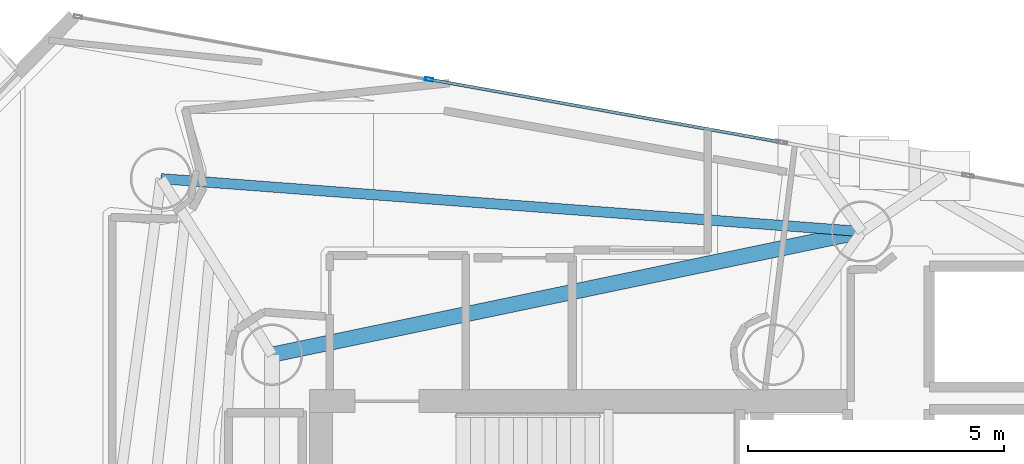
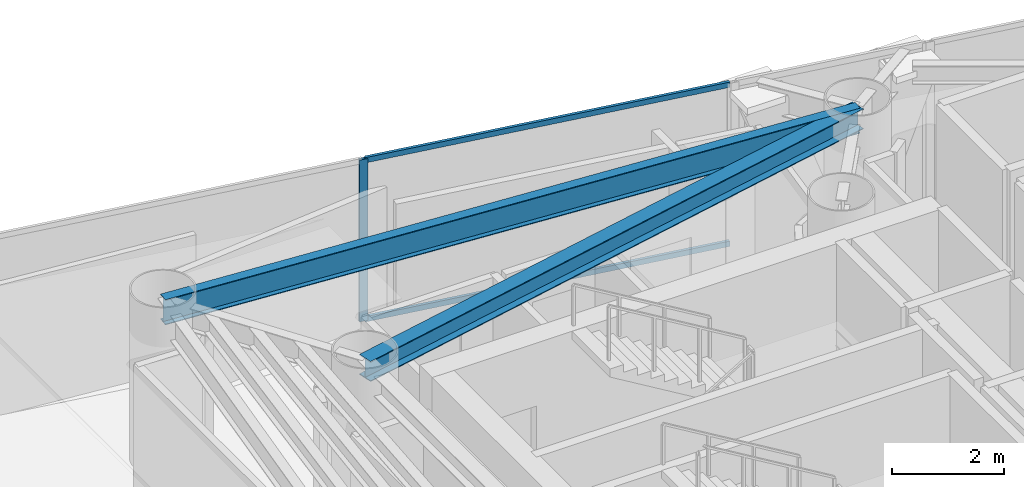
# One storey, part 10 of 22: 3 members, 2 beams, 1 element without a shape of its own.
"""IFC4 building model written with IfcOpenShell, lengths in metres."""

from ifc_helpers import new_model, si_unit, direction, frame, origin, origin_2d, place, context, subcontext, project, spatial, hollow_rectangle, i_section, extrude, material, layer, layer_set, material_profile, profile_set, type_object, element, aggregate, save


model = new_model("IFC4")

# Units and contexts
model_context = context("Model", 3, precision=1e-05, world=origin(), true_north=direction((0.0, 1.0)))
body_context = subcontext(model_context, "Body", "Model", "MODEL_VIEW")
ifc_project = project(units=[si_unit("LENGTHUNIT", "METRE"), si_unit("AREAUNIT", "SQUARE_METRE"), si_unit("VOLUMEUNIT", "CUBIC_METRE"), si_unit("PLANEANGLEUNIT", "RADIAN"), si_unit("MASSUNIT", "GRAM", prefix="KILO")], contexts=[model_context])

# Site, building, storey
site_placement = place(None, origin())
site = spatial("IfcSite", under=ifc_project, at=site_placement, CompositionType="ELEMENT")
building_placement = place(site_placement, origin())
building = spatial("IfcBuilding", under=site, at=building_placement, Name="Qianvela Tower", CompositionType="ELEMENT")
storey_placement = place(building_placement, frame((0.0, 0.0, 207.699951171875)))
storey = spatial("IfcBuildingStorey", under=building, at=storey_placement, Name="L53", CompositionType="ELEMENT", Elevation=207.699951171875)

# Beams
ifc_material_1 = material(Name="Steel Q355B", Category="steel")
ifc_material_profile_1 = material_profile(ifc_material_1, i_section(OverallWidth=0.300048828125, OverallDepth=0.43994140625, WebThickness=0.010986328125, FlangeThickness=0.01806640625, at=origin_2d()), Name="HM440x300x11x18")
ifc_profile_set_1 = profile_set([ifc_material_profile_1], Name="Steel Q355B")
beam_type_1 = type_object("IfcBeamType", Name="BM-HM440-COLL", PredefinedType="BEAM", material=ifc_profile_set_1)
beam_1_placement = place(storey_placement, frame((28.60009765625, 33.550048828125, 3.298095703125), z_axis=(0.978884270582, 0.204415226456, 0.0), x_axis=(-0.204415226456, 0.978884270582, 0.0)))
element("IfcBeam", 1, at=beam_1_placement, inside=storey, type_object=beam_type_1, Name="L53 Perimeter Ring Tie Girder 1B", PredefinedType="BEAM", context=body_context, shape_type="SweptSolid", body=[
    extrude(i_section(OverallWidth=0.300048828125, OverallDepth=0.43994140625, WebThickness=0.010986328125, FlangeThickness=0.01806640625, at=origin_2d()), origin(), (0.0, 0.0, 1.0), 11.77978515625),
])
ifc_material_2 = material(Name="Steel Q355B", Category="steel")
ifc_material_profile_2 = material_profile(ifc_material_2, i_section(OverallWidth=0.199951171875, OverallDepth=0.550048828125, WebThickness=0.010009765625, FlangeThickness=0.01611328125, at=origin_2d()), Name="HN550x200x10x16")
ifc_profile_set_2 = profile_set([ifc_material_profile_2], Name="Steel Q355B")
beam_type_2 = type_object("IfcBeamType", Name="BM-HN550-GIRD", PredefinedType="BEAM", material=ifc_profile_set_2)
beam_2_placement = place(storey_placement, frame((40.131103515625, 35.9580078125, 3.2431640625), z_axis=(-0.997164346928, 0.075254669065, 0.0), x_axis=(-0.075254669065, -0.997164346928, 0.0)))
element("IfcBeam", 2, at=beam_2_placement, inside=storey, type_object=beam_type_2, Name="L53 Perimeter Ring Spandrel Girder 2", PredefinedType="BEAM", context=body_context, shape_type="SweptSolid", body=[
    extrude(i_section(OverallWidth=0.199951171875, OverallDepth=0.550048828125, WebThickness=0.010009765625, FlangeThickness=0.01611328125, at=origin_2d()), origin(), (0.0, 0.0, 1.0), 13.7392578125),
])

# Curtain wall, members
ifc_material_3 = material(Name="Anodised Architectural Aluminium and Low-E Glass", Category="aluminium")
ifc_layer = layer(ifc_material_3, 0.159912109375)
ifc_layer_set = layer_set([ifc_layer], Name="Anodised Architectural Aluminium and Low-E Glass")
curtain_wall_type = type_object("IfcCurtainWallType", Name="CW-COLIV-Z56", PredefinedType="USERDEFINED", material=ifc_layer_set)
curtain_wall_placement = place(storey_placement, origin())
curtain_wall = element("IfcCurtainWall", 3, at=curtain_wall_placement, inside=storey, type_object=curtain_wall_type, Name="L53 CW-COLIV-Z56 Curtain Wall 02C", ObjectType="CURTAIN_WALL_SYSTEM", PredefinedType="USERDEFINED")
ifc_material_4 = material(Name="Anodised Architectural Aluminium 6063-T6", Category="aluminium")
ifc_material_profile_3 = material_profile(ifc_material_4, hollow_rectangle(XDim=0.06494140625, YDim=0.159912109375, WallThickness=0.0048828125, at=origin_2d()), Name="ALU-MULL-65x160")
ifc_profile_set_3 = profile_set([ifc_material_profile_3], Name="Anodised Architectural Aluminium 6063-T6")
member_type_1 = type_object("IfcMemberType", Name="CW-COLIV-Z56-MULL", PredefinedType="MULLION", material=ifc_profile_set_3)
member_1_placement = place(storey_placement, frame((31.66943359375, 38.93212890625, 0.0), z_axis=(0.0, 0.0, 1.0), x_axis=(-0.175586258949, -0.984464049962, 0.0)))
member_1 = element("IfcMember", 4, at=member_1_placement, type_object=member_type_1, Name="CW-5 mullion 2", PredefinedType="MULLION", context=body_context, shape_type="SweptSolid", body=[
    extrude(hollow_rectangle(XDim=0.06494140625, YDim=0.159912109375, WallThickness=0.0048828125, at=origin_2d()), origin(), (0.0, 0.0, 1.0), 3.52001953125),
])
ifc_material_5 = material(Name="Anodised Architectural Aluminium 6063-T6", Category="aluminium")
ifc_material_profile_4 = material_profile(ifc_material_5, hollow_rectangle(XDim=0.06005859375, YDim=0.114990234375, WallThickness=0.00390625, at=origin_2d()), Name="ALU-TRAN-60x115")
ifc_profile_set_4 = profile_set([ifc_material_profile_4], Name="Anodised Architectural Aluminium 6063-T6")
member_type_2 = type_object("IfcMemberType", Name="CW-COLIV-Z56-TRAN", PredefinedType="USERDEFINED", material=ifc_profile_set_4)
member_2_placement = place(storey_placement, frame((38.499267578125, 37.7138671875, 0.030029296875), z_axis=(-0.984465138362, 0.175580156483, 0.0), x_axis=(-0.175580156483, -0.984465138362, 0.0)))
member_2 = element("IfcMember", 5, at=member_2_placement, type_object=member_type_2, Name="CW-5 transom 1.1", ObjectType="TRANSOM", PredefinedType="USERDEFINED", context=body_context, shape_type="SweptSolid", body=[
    extrude(hollow_rectangle(XDim=0.06005859375, YDim=0.114990234375, WallThickness=0.00390625, at=origin_2d()), origin(), (0.0, 0.0, 1.0), 6.905029296875),
])
member_3_placement = place(storey_placement, frame((38.499267578125, 37.7138671875, 3.489990234375), z_axis=(-0.984465138362, 0.175580156483, 0.0), x_axis=(-0.175580156483, -0.984465138362, 0.0)))
member_3 = element("IfcMember", 6, at=member_3_placement, type_object=member_type_2, Name="CW-5 transom 1.2", ObjectType="TRANSOM", PredefinedType="USERDEFINED", context=body_context, shape_type="SweptSolid", body=[
    extrude(hollow_rectangle(XDim=0.06005859375, YDim=0.114990234375, WallThickness=0.00390625, at=origin_2d()), origin(), (0.0, 0.0, 1.0), 6.905029296875),
])
aggregate(curtain_wall, [member_1, member_2, member_3])

save(model, "model.ifc")
